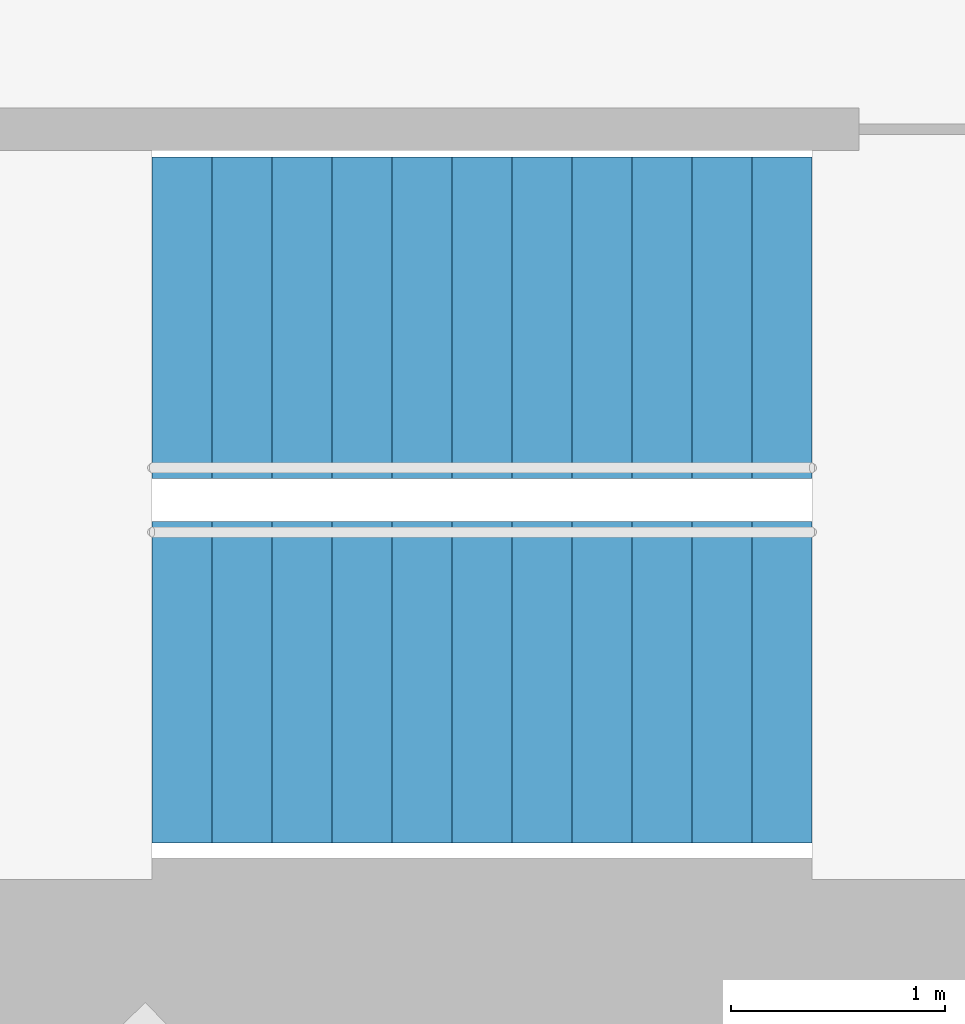
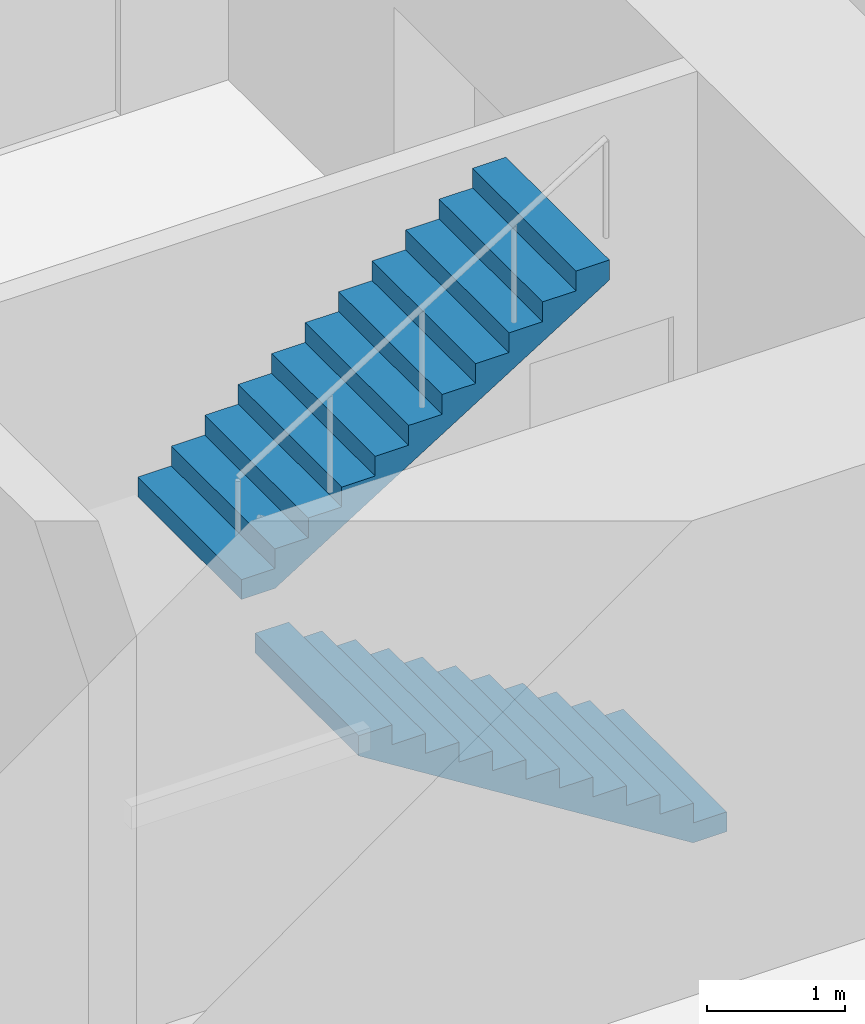
# One storey, part 16 of 17: 2 stair flights, 1 element without a shape of its own.
"""IFC4 building model written with IfcOpenShell, lengths in metres."""

from ifc_helpers import new_model, si_unit, direction, frame, origin, place, context, subcontext, project, spatial, triangles, material, type_object, element, aggregate, save


model = new_model("IFC4")

# Units and contexts
model_context = context("Model", 3, precision=1e-05, world=origin(), true_north=direction((0.0, 1.0)))
body_context = subcontext(model_context, "Body", "Model", "MODEL_VIEW")
ifc_project = project(units=[si_unit("LENGTHUNIT", "METRE"), si_unit("AREAUNIT", "SQUARE_METRE"), si_unit("VOLUMEUNIT", "CUBIC_METRE"), si_unit("PLANEANGLEUNIT", "RADIAN"), si_unit("MASSUNIT", "GRAM", prefix="KILO")], contexts=[model_context])

# Site, building, storey
site_placement = place(None, origin())
site = spatial("IfcSite", under=ifc_project, at=site_placement, CompositionType="ELEMENT")
building_placement = place(site_placement, origin())
building = spatial("IfcBuilding", under=site, at=building_placement, Name="Lantaw Convention Tower", CompositionType="ELEMENT")
storey_placement = place(building_placement, frame((0.0, 0.0, 117.39990234375)))
storey = spatial("IfcBuildingStorey", under=building, at=storey_placement, Name="L27", CompositionType="ELEMENT", Elevation=117.39990234375)

# Stair, stair flights
ifc_material = material(Name="Concrete C35/45", Category="concrete")
stair_type = type_object("IfcStairType", Name="Exit stair 1500 riser 175 in 2 flights", PredefinedType="HALF_TURN_STAIR", material=ifc_material)
stair_placement = place(storey_placement, origin())
stair = element("IfcStair", 1, at=stair_placement, inside=storey, type_object=stair_type, Name="Exit stair S2 L27", PredefinedType="HALF_TURN_STAIR")
stair_flight_type = type_object("IfcStairFlightType", Name="Stair flight 1500 riser 175", PredefinedType="STRAIGHT", material=ifc_material)
stair_flight_1_placement = place(storey_placement, frame((10.580078125, -5.97998046875, 0.0), z_axis=(0.0, 0.0, 1.0), x_axis=(-1.0, 0.0, 0.0)))
stair_flight_1 = element("IfcStairFlight", 2, at=stair_flight_1_placement, type_object=stair_flight_type, Name="S2 flight 1", NumberOfRisers=12, NumberOfTreads=11, PredefinedType="STRAIGHT", RiserHeight=0.175, TreadLength=0.28, context=body_context, shape_type="Tessellation", body=[
    triangles([(0.0, 0.75, 0.0), (0.0, 0.75, 0.175), (0.28, 0.75, 0.0), (0.28, 0.75, 0.175), (0.28, 0.75, 0.35), (0.28283517651771284, 0.75, 0.0), (0.28283517651771284, 0.75, 0.35), (0.56, 0.75, 0.17322801467642948), (0.56, 0.75, 0.35), (0.56, 0.75, 0.5249999999999999), (0.8400000000000001, 0.75, 0.34822801467642944), (0.8400000000000001, 0.75, 0.5249999999999999), (0.8400000000000001, 0.75, 0.7), (1.12, 0.75, 0.5232280146764294), (1.12, 0.75, 0.7), (1.12, 0.75, 0.875), (1.4000000000000001, 0.75, 0.6982280146764295), (1.4000000000000001, 0.75, 0.875), (1.4000000000000001, 0.75, 1.0499999999999998), (1.6800000000000002, 0.75, 0.8732280146764294), (1.6800000000000002, 0.75, 1.0499999999999998), (1.6800000000000002, 0.75, 1.2249999999999999), (1.9600000000000002, 0.75, 1.0482280146764293), (1.9600000000000002, 0.75, 1.2249999999999999), (1.9600000000000002, 0.75, 1.4), (2.24, 0.75, 1.2232280146764294), (2.24, 0.75, 1.4), (2.24, 0.75, 1.575), (2.5200000000000005, 0.75, 1.3982280146764294), (2.5200000000000005, 0.75, 1.575), (2.5200000000000005, 0.75, 1.75), (2.8000000000000003, 0.75, 1.5732280146764293), (2.8000000000000003, 0.75, 1.75), (2.8000000000000003, 0.75, 1.9249999999999998), (3.08, 0.75, 1.7482280146764293), (3.08, 0.75, 1.9249999999999998), (0.0, -0.75, 0.0), (0.0, -0.75, 0.175), (0.28, -0.75, 0.0), (0.28, -0.75, 0.175), (0.28, -0.75, 0.35), (0.28283517651771284, -0.75, 0.0), (0.28283517651771284, -0.75, 0.35), (0.56, -0.75, 0.17322801467642948), (0.56, -0.75, 0.35), (0.56, -0.75, 0.5249999999999999), (0.8400000000000001, -0.75, 0.34822801467642944), (0.8400000000000001, -0.75, 0.5249999999999999), (0.8400000000000001, -0.75, 0.7), (1.12, -0.75, 0.5232280146764294), (1.12, -0.75, 0.7), (1.12, -0.75, 0.875), (1.4000000000000001, -0.75, 0.6982280146764295), (1.4000000000000001, -0.75, 0.875), (1.4000000000000001, -0.75, 1.0499999999999998), (1.6800000000000002, -0.75, 0.8732280146764294), (1.6800000000000002, -0.75, 1.0499999999999998), (1.6800000000000002, -0.75, 1.2249999999999999), (1.9600000000000002, -0.75, 1.0482280146764293), (1.9600000000000002, -0.75, 1.2249999999999999), (1.9600000000000002, -0.75, 1.4), (2.24, -0.75, 1.2232280146764294), (2.24, -0.75, 1.4), (2.24, -0.75, 1.575), (2.5200000000000005, -0.75, 1.3982280146764294), (2.5200000000000005, -0.75, 1.575), (2.5200000000000005, -0.75, 1.75), (2.8000000000000003, -0.75, 1.5732280146764293), (2.8000000000000003, -0.75, 1.75), (2.8000000000000003, -0.75, 1.9249999999999998), (3.08, -0.75, 1.7482280146764293), (3.08, -0.75, 1.9249999999999998), (0.0, 0.15000000000000002, 0.175), (0.0, 0.15000000000000002, 0.0), (0.0, 0.0, 0.175), (0.0, 0.0, 0.0), (0.0, -0.15000000000000002, 0.175), (0.0, -0.15000000000000002, 0.0), (0.28, 0.15000000000000002, 0.35), (0.28, 0.15000000000000002, 0.175), (0.28, 0.0, 0.35), (0.28, 0.0, 0.175), (0.28, -0.15000000000000002, 0.35), (0.28, -0.15000000000000002, 0.175), (0.56, 0.15000000000000002, 0.5249999999999999), (0.56, 0.15000000000000002, 0.35), (0.56, 0.0, 0.5249999999999999), (0.56, 0.0, 0.35), (0.56, -0.15000000000000002, 0.5249999999999999), (0.56, -0.15000000000000002, 0.35), (0.8400000000000001, 0.15000000000000002, 0.7), (0.8400000000000001, 0.15000000000000002, 0.5249999999999999), (0.8400000000000001, 0.0, 0.7), (0.8400000000000001, 0.0, 0.5249999999999999), (0.8400000000000001, -0.15000000000000002, 0.7), (0.8400000000000001, -0.15000000000000002, 0.5249999999999999), (1.12, 0.15000000000000002, 0.875), (1.12, 0.15000000000000002, 0.7), (1.12, 0.0, 0.875), (1.12, 0.0, 0.7), (1.12, -0.15000000000000002, 0.875), (1.12, -0.15000000000000002, 0.7), (1.4000000000000001, 0.15000000000000002, 1.0499999999999998), (1.4000000000000001, 0.15000000000000002, 0.875), (1.4000000000000001, 0.0, 1.0499999999999998), (1.4000000000000001, 0.0, 0.875), (1.4000000000000001, -0.15000000000000002, 1.0499999999999998), (1.4000000000000001, -0.15000000000000002, 0.875), (1.6800000000000002, 0.15000000000000002, 1.2249999999999999), (1.6800000000000002, 0.15000000000000002, 1.0499999999999998), (1.6800000000000002, 0.0, 1.2249999999999999), (1.6800000000000002, 0.0, 1.0499999999999998), (1.6800000000000002, -0.15000000000000002, 1.2249999999999999), (1.6800000000000002, -0.15000000000000002, 1.0499999999999998), (1.9600000000000002, 0.15000000000000002, 1.4), (1.9600000000000002, 0.15000000000000002, 1.2249999999999999), (1.9600000000000002, 0.0, 1.4), (1.9600000000000002, 0.0, 1.2249999999999999), (1.9600000000000002, -0.15000000000000002, 1.4), (1.9600000000000002, -0.15000000000000002, 1.2249999999999999), (2.24, 0.15000000000000002, 1.575), (2.24, 0.15000000000000002, 1.4), (2.24, 0.0, 1.575), (2.24, 0.0, 1.4), (2.24, -0.15000000000000002, 1.575), (2.24, -0.15000000000000002, 1.4), (2.5200000000000005, 0.15000000000000002, 1.75), (2.5200000000000005, 0.15000000000000002, 1.575), (2.5200000000000005, 0.0, 1.75), (2.5200000000000005, 0.0, 1.575), (2.5200000000000005, -0.15000000000000002, 1.75), (2.5200000000000005, -0.15000000000000002, 1.575), (2.8000000000000003, 0.15000000000000002, 1.9249999999999998), (2.8000000000000003, 0.15000000000000002, 1.75), (2.8000000000000003, 0.0, 1.9249999999999998), (2.8000000000000003, 0.0, 1.75), (2.8000000000000003, -0.15000000000000002, 1.9249999999999998), (2.8000000000000003, -0.15000000000000002, 1.75), (0.28283517651771284, 0.15000000000000002, 0.35), (0.28283517651771284, 0.0, 0.35), (0.28283517651771284, -0.15000000000000002, 0.35), (3.08, 0.15000000000000002, 1.9249999999999998), (3.08, 0.0, 1.9249999999999998), (3.08, -0.15000000000000002, 1.9249999999999998), (3.08, 0.15000000000000002, 1.7482280146764293), (3.08, 0.0, 1.7482280146764293), (3.08, -0.15000000000000002, 1.7482280146764293), (2.8000000000000003, 0.15000000000000002, 1.5732280146764293), (2.8000000000000003, 0.0, 1.5732280146764293), (2.8000000000000003, -0.15000000000000002, 1.5732280146764293), (2.5200000000000005, 0.15000000000000002, 1.3982280146764294), (2.5200000000000005, 0.0, 1.3982280146764294), (2.5200000000000005, -0.15000000000000002, 1.3982280146764294), (2.24, 0.15000000000000002, 1.2232280146764294), (2.24, 0.0, 1.2232280146764294), (2.24, -0.15000000000000002, 1.2232280146764294), (1.9600000000000002, 0.15000000000000002, 1.0482280146764293), (1.9600000000000002, 0.0, 1.0482280146764293), (1.9600000000000002, -0.15000000000000002, 1.0482280146764293), (1.6800000000000002, 0.15000000000000002, 0.8732280146764294), (1.6800000000000002, 0.0, 0.8732280146764294), (1.6800000000000002, -0.15000000000000002, 0.8732280146764294), (1.4000000000000001, 0.15000000000000002, 0.6982280146764295), (1.4000000000000001, 0.0, 0.6982280146764295), (1.4000000000000001, -0.15000000000000002, 0.6982280146764295), (1.12, 0.15000000000000002, 0.5232280146764294), (1.12, 0.0, 0.5232280146764294), (1.12, -0.15000000000000002, 0.5232280146764294), (0.8400000000000001, 0.15000000000000002, 0.34822801467642944), (0.8400000000000001, 0.0, 0.34822801467642944), (0.8400000000000001, -0.15000000000000002, 0.34822801467642944), (0.56, 0.15000000000000002, 0.17322801467642948), (0.56, 0.0, 0.17322801467642948), (0.56, -0.15000000000000002, 0.17322801467642948), (0.28283517651771284, 0.15000000000000002, 0.0), (0.28283517651771284, 0.0, 0.0), (0.28283517651771284, -0.15000000000000002, 0.0), (0.28, 0.15000000000000002, 0.0), (0.28, 0.0, 0.0), (0.28, -0.15000000000000002, 0.0)], [[1, 4, 3], [1, 2, 4], [3, 4, 6], [4, 7, 6], [4, 5, 7], [6, 9, 8], [6, 7, 9], [8, 9, 11], [9, 12, 11], [9, 10, 12], [11, 12, 14], [12, 15, 14], [12, 13, 15], [14, 15, 17], [15, 18, 17], [15, 16, 18], [17, 18, 20], [18, 21, 20], [18, 19, 21], [20, 21, 23], [21, 24, 23], [21, 22, 24], [23, 24, 26], [24, 27, 26], [24, 25, 27], [26, 27, 29], [27, 30, 29], [27, 28, 30], [29, 30, 32], [30, 33, 32], [30, 31, 33], [32, 33, 35], [33, 36, 35], [33, 34, 36], [37, 39, 40], [37, 40, 38], [39, 42, 40], [40, 42, 43], [40, 43, 41], [42, 44, 45], [42, 45, 43], [44, 47, 45], [45, 47, 48], [45, 48, 46], [47, 50, 48], [48, 50, 51], [48, 51, 49], [50, 53, 51], [51, 53, 54], [51, 54, 52], [53, 56, 54], [54, 56, 57], [54, 57, 55], [56, 59, 57], [57, 59, 60], [57, 60, 58], [59, 62, 60], [60, 62, 63], [60, 63, 61], [62, 65, 63], [63, 65, 66], [63, 66, 64], [65, 68, 66], [66, 68, 69], [66, 69, 67], [68, 71, 69], [69, 71, 72], [69, 72, 70], [1, 73, 2], [1, 74, 73], [74, 75, 73], [74, 76, 75], [76, 77, 75], [76, 78, 77], [78, 38, 77], [78, 37, 38], [4, 79, 5], [4, 80, 79], [80, 81, 79], [80, 82, 81], [82, 83, 81], [82, 84, 83], [84, 41, 83], [84, 40, 41], [9, 85, 10], [9, 86, 85], [86, 87, 85], [86, 88, 87], [88, 89, 87], [88, 90, 89], [90, 46, 89], [90, 45, 46], [12, 91, 13], [12, 92, 91], [92, 93, 91], [92, 94, 93], [94, 95, 93], [94, 96, 95], [96, 49, 95], [96, 48, 49], [15, 97, 16], [15, 98, 97], [98, 99, 97], [98, 100, 99], [100, 101, 99], [100, 102, 101], [102, 52, 101], [102, 51, 52], [18, 103, 19], [18, 104, 103], [104, 105, 103], [104, 106, 105], [106, 107, 105], [106, 108, 107], [108, 55, 107], [108, 54, 55], [21, 109, 22], [21, 110, 109], [110, 111, 109], [110, 112, 111], [112, 113, 111], [112, 114, 113], [114, 58, 113], [114, 57, 58], [24, 115, 25], [24, 116, 115], [116, 117, 115], [116, 118, 117], [118, 119, 117], [118, 120, 119], [120, 61, 119], [120, 60, 61], [27, 121, 28], [27, 122, 121], [122, 123, 121], [122, 124, 123], [124, 125, 123], [124, 126, 125], [126, 64, 125], [126, 63, 64], [30, 127, 31], [30, 128, 127], [128, 129, 127], [128, 130, 129], [130, 131, 129], [130, 132, 131], [132, 67, 131], [132, 66, 67], [33, 133, 34], [33, 134, 133], [134, 135, 133], [134, 136, 135], [136, 137, 135], [136, 138, 137], [138, 70, 137], [138, 69, 70], [2, 80, 4], [2, 73, 80], [73, 82, 80], [73, 75, 82], [75, 84, 82], [75, 77, 84], [77, 40, 84], [77, 38, 40], [5, 139, 7], [5, 79, 139], [79, 140, 139], [79, 81, 140], [81, 141, 140], [81, 83, 141], [83, 43, 141], [83, 41, 43], [7, 86, 9], [7, 139, 86], [139, 88, 86], [139, 140, 88], [140, 90, 88], [140, 141, 90], [141, 45, 90], [141, 43, 45], [10, 92, 12], [10, 85, 92], [85, 94, 92], [85, 87, 94], [87, 96, 94], [87, 89, 96], [89, 48, 96], [89, 46, 48], [13, 98, 15], [13, 91, 98], [91, 100, 98], [91, 93, 100], [93, 102, 100], [93, 95, 102], [95, 51, 102], [95, 49, 51], [16, 104, 18], [16, 97, 104], [97, 106, 104], [97, 99, 106], [99, 108, 106], [99, 101, 108], [101, 54, 108], [101, 52, 54], [19, 110, 21], [19, 103, 110], [103, 112, 110], [103, 105, 112], [105, 114, 112], [105, 107, 114], [107, 57, 114], [107, 55, 57], [22, 116, 24], [22, 109, 116], [109, 118, 116], [109, 111, 118], [111, 120, 118], [111, 113, 120], [113, 60, 120], [113, 58, 60], [25, 122, 27], [25, 115, 122], [115, 124, 122], [115, 117, 124], [117, 126, 124], [117, 119, 126], [119, 63, 126], [119, 61, 63], [28, 128, 30], [28, 121, 128], [121, 130, 128], [121, 123, 130], [123, 132, 130], [123, 125, 132], [125, 66, 132], [125, 64, 66], [31, 134, 33], [31, 127, 134], [127, 136, 134], [127, 129, 136], [129, 138, 136], [129, 131, 138], [131, 69, 138], [131, 67, 69], [34, 142, 36], [34, 133, 142], [133, 143, 142], [133, 135, 143], [135, 144, 143], [135, 137, 144], [137, 72, 144], [137, 70, 72], [36, 145, 35], [36, 142, 145], [142, 146, 145], [142, 143, 146], [143, 147, 146], [143, 144, 147], [144, 71, 147], [144, 72, 71], [35, 148, 32], [35, 145, 148], [145, 149, 148], [145, 146, 149], [146, 150, 149], [146, 147, 150], [147, 68, 150], [147, 71, 68], [32, 151, 29], [32, 148, 151], [148, 152, 151], [148, 149, 152], [149, 153, 152], [149, 150, 153], [150, 65, 153], [150, 68, 65], [29, 154, 26], [29, 151, 154], [151, 155, 154], [151, 152, 155], [152, 156, 155], [152, 153, 156], [153, 62, 156], [153, 65, 62], [26, 157, 23], [26, 154, 157], [154, 158, 157], [154, 155, 158], [155, 159, 158], [155, 156, 159], [156, 59, 159], [156, 62, 59], [23, 160, 20], [23, 157, 160], [157, 161, 160], [157, 158, 161], [158, 162, 161], [158, 159, 162], [159, 56, 162], [159, 59, 56], [20, 163, 17], [20, 160, 163], [160, 164, 163], [160, 161, 164], [161, 165, 164], [161, 162, 165], [162, 53, 165], [162, 56, 53], [17, 166, 14], [17, 163, 166], [163, 167, 166], [163, 164, 167], [164, 168, 167], [164, 165, 168], [165, 50, 168], [165, 53, 50], [14, 169, 11], [14, 166, 169], [166, 170, 169], [166, 167, 170], [167, 171, 170], [167, 168, 171], [168, 47, 171], [168, 50, 47], [11, 172, 8], [11, 169, 172], [169, 173, 172], [169, 170, 173], [170, 174, 173], [170, 171, 174], [171, 44, 174], [171, 47, 44], [8, 175, 6], [8, 172, 175], [172, 176, 175], [172, 173, 176], [173, 177, 176], [173, 174, 177], [174, 42, 177], [174, 44, 42], [6, 178, 3], [6, 175, 178], [175, 179, 178], [175, 176, 179], [176, 180, 179], [176, 177, 180], [177, 39, 180], [177, 42, 39], [3, 74, 1], [3, 178, 74], [178, 76, 74], [178, 179, 76], [179, 78, 76], [179, 180, 78], [180, 37, 78], [180, 39, 37]], closed=True),
])
stair_flight_2_placement = place(storey_placement, frame((7.5, -4.280029296875, 2.10009765625), z_axis=(0.0, 0.0, 1.0), x_axis=(1.0, 0.0, 0.0)))
stair_flight_2 = element("IfcStairFlight", 3, at=stair_flight_2_placement, type_object=stair_flight_type, Name="S2 flight 2", NumberOfRisers=12, NumberOfTreads=11, PredefinedType="STRAIGHT", RiserHeight=0.175, TreadLength=0.28, context=body_context, shape_type="Tessellation", body=[
    triangles([(0.0, 0.75, 0.0), (0.0, 0.75, 0.175), (0.28, 0.75, 0.0), (0.28, 0.75, 0.175), (0.28, 0.75, 0.35), (0.28283517651771284, 0.75, 0.0), (0.28283517651771284, 0.75, 0.35), (0.56, 0.75, 0.17322801467642948), (0.56, 0.75, 0.35), (0.56, 0.75, 0.5249999999999999), (0.8400000000000001, 0.75, 0.34822801467642944), (0.8400000000000001, 0.75, 0.5249999999999999), (0.8400000000000001, 0.75, 0.7), (1.12, 0.75, 0.5232280146764294), (1.12, 0.75, 0.7), (1.12, 0.75, 0.875), (1.4000000000000001, 0.75, 0.6982280146764295), (1.4000000000000001, 0.75, 0.875), (1.4000000000000001, 0.75, 1.0499999999999998), (1.6800000000000002, 0.75, 0.8732280146764294), (1.6800000000000002, 0.75, 1.0499999999999998), (1.6800000000000002, 0.75, 1.2249999999999999), (1.9600000000000002, 0.75, 1.0482280146764293), (1.9600000000000002, 0.75, 1.2249999999999999), (1.9600000000000002, 0.75, 1.4), (2.24, 0.75, 1.2232280146764294), (2.24, 0.75, 1.4), (2.24, 0.75, 1.575), (2.5200000000000005, 0.75, 1.3982280146764294), (2.5200000000000005, 0.75, 1.575), (2.5200000000000005, 0.75, 1.75), (2.8000000000000003, 0.75, 1.5732280146764293), (2.8000000000000003, 0.75, 1.75), (2.8000000000000003, 0.75, 1.9249999999999998), (3.08, 0.75, 1.7482280146764293), (3.08, 0.75, 1.9249999999999998), (0.0, -0.75, 0.0), (0.0, -0.75, 0.175), (0.28, -0.75, 0.0), (0.28, -0.75, 0.175), (0.28, -0.75, 0.35), (0.28283517651771284, -0.75, 0.0), (0.28283517651771284, -0.75, 0.35), (0.56, -0.75, 0.17322801467642948), (0.56, -0.75, 0.35), (0.56, -0.75, 0.5249999999999999), (0.8400000000000001, -0.75, 0.34822801467642944), (0.8400000000000001, -0.75, 0.5249999999999999), (0.8400000000000001, -0.75, 0.7), (1.12, -0.75, 0.5232280146764294), (1.12, -0.75, 0.7), (1.12, -0.75, 0.875), (1.4000000000000001, -0.75, 0.6982280146764295), (1.4000000000000001, -0.75, 0.875), (1.4000000000000001, -0.75, 1.0499999999999998), (1.6800000000000002, -0.75, 0.8732280146764294), (1.6800000000000002, -0.75, 1.0499999999999998), (1.6800000000000002, -0.75, 1.2249999999999999), (1.9600000000000002, -0.75, 1.0482280146764293), (1.9600000000000002, -0.75, 1.2249999999999999), (1.9600000000000002, -0.75, 1.4), (2.24, -0.75, 1.2232280146764294), (2.24, -0.75, 1.4), (2.24, -0.75, 1.575), (2.5200000000000005, -0.75, 1.3982280146764294), (2.5200000000000005, -0.75, 1.575), (2.5200000000000005, -0.75, 1.75), (2.8000000000000003, -0.75, 1.5732280146764293), (2.8000000000000003, -0.75, 1.75), (2.8000000000000003, -0.75, 1.9249999999999998), (3.08, -0.75, 1.7482280146764293), (3.08, -0.75, 1.9249999999999998), (0.0, 0.15000000000000002, 0.175), (0.0, 0.15000000000000002, 0.0), (0.0, 0.0, 0.175), (0.0, 0.0, 0.0), (0.0, -0.15000000000000002, 0.175), (0.0, -0.15000000000000002, 0.0), (0.28, 0.15000000000000002, 0.35), (0.28, 0.15000000000000002, 0.175), (0.28, 0.0, 0.35), (0.28, 0.0, 0.175), (0.28, -0.15000000000000002, 0.35), (0.28, -0.15000000000000002, 0.175), (0.56, 0.15000000000000002, 0.5249999999999999), (0.56, 0.15000000000000002, 0.35), (0.56, 0.0, 0.5249999999999999), (0.56, 0.0, 0.35), (0.56, -0.15000000000000002, 0.5249999999999999), (0.56, -0.15000000000000002, 0.35), (0.8400000000000001, 0.15000000000000002, 0.7), (0.8400000000000001, 0.15000000000000002, 0.5249999999999999), (0.8400000000000001, 0.0, 0.7), (0.8400000000000001, 0.0, 0.5249999999999999), (0.8400000000000001, -0.15000000000000002, 0.7), (0.8400000000000001, -0.15000000000000002, 0.5249999999999999), (1.12, 0.15000000000000002, 0.875), (1.12, 0.15000000000000002, 0.7), (1.12, 0.0, 0.875), (1.12, 0.0, 0.7), (1.12, -0.15000000000000002, 0.875), (1.12, -0.15000000000000002, 0.7), (1.4000000000000001, 0.15000000000000002, 1.0499999999999998), (1.4000000000000001, 0.15000000000000002, 0.875), (1.4000000000000001, 0.0, 1.0499999999999998), (1.4000000000000001, 0.0, 0.875), (1.4000000000000001, -0.15000000000000002, 1.0499999999999998), (1.4000000000000001, -0.15000000000000002, 0.875), (1.6800000000000002, 0.15000000000000002, 1.2249999999999999), (1.6800000000000002, 0.15000000000000002, 1.0499999999999998), (1.6800000000000002, 0.0, 1.2249999999999999), (1.6800000000000002, 0.0, 1.0499999999999998), (1.6800000000000002, -0.15000000000000002, 1.2249999999999999), (1.6800000000000002, -0.15000000000000002, 1.0499999999999998), (1.9600000000000002, 0.15000000000000002, 1.4), (1.9600000000000002, 0.15000000000000002, 1.2249999999999999), (1.9600000000000002, 0.0, 1.4), (1.9600000000000002, 0.0, 1.2249999999999999), (1.9600000000000002, -0.15000000000000002, 1.4), (1.9600000000000002, -0.15000000000000002, 1.2249999999999999), (2.24, 0.15000000000000002, 1.575), (2.24, 0.15000000000000002, 1.4), (2.24, 0.0, 1.575), (2.24, 0.0, 1.4), (2.24, -0.15000000000000002, 1.575), (2.24, -0.15000000000000002, 1.4), (2.5200000000000005, 0.15000000000000002, 1.75), (2.5200000000000005, 0.15000000000000002, 1.575), (2.5200000000000005, 0.0, 1.75), (2.5200000000000005, 0.0, 1.575), (2.5200000000000005, -0.15000000000000002, 1.75), (2.5200000000000005, -0.15000000000000002, 1.575), (2.8000000000000003, 0.15000000000000002, 1.9249999999999998), (2.8000000000000003, 0.15000000000000002, 1.75), (2.8000000000000003, 0.0, 1.9249999999999998), (2.8000000000000003, 0.0, 1.75), (2.8000000000000003, -0.15000000000000002, 1.9249999999999998), (2.8000000000000003, -0.15000000000000002, 1.75), (0.28283517651771284, 0.15000000000000002, 0.35), (0.28283517651771284, 0.0, 0.35), (0.28283517651771284, -0.15000000000000002, 0.35), (3.08, 0.15000000000000002, 1.9249999999999998), (3.08, 0.0, 1.9249999999999998), (3.08, -0.15000000000000002, 1.9249999999999998), (3.08, 0.15000000000000002, 1.7482280146764293), (3.08, 0.0, 1.7482280146764293), (3.08, -0.15000000000000002, 1.7482280146764293), (2.8000000000000003, 0.15000000000000002, 1.5732280146764293), (2.8000000000000003, 0.0, 1.5732280146764293), (2.8000000000000003, -0.15000000000000002, 1.5732280146764293), (2.5200000000000005, 0.15000000000000002, 1.3982280146764294), (2.5200000000000005, 0.0, 1.3982280146764294), (2.5200000000000005, -0.15000000000000002, 1.3982280146764294), (2.24, 0.15000000000000002, 1.2232280146764294), (2.24, 0.0, 1.2232280146764294), (2.24, -0.15000000000000002, 1.2232280146764294), (1.9600000000000002, 0.15000000000000002, 1.0482280146764293), (1.9600000000000002, 0.0, 1.0482280146764293), (1.9600000000000002, -0.15000000000000002, 1.0482280146764293), (1.6800000000000002, 0.15000000000000002, 0.8732280146764294), (1.6800000000000002, 0.0, 0.8732280146764294), (1.6800000000000002, -0.15000000000000002, 0.8732280146764294), (1.4000000000000001, 0.15000000000000002, 0.6982280146764295), (1.4000000000000001, 0.0, 0.6982280146764295), (1.4000000000000001, -0.15000000000000002, 0.6982280146764295), (1.12, 0.15000000000000002, 0.5232280146764294), (1.12, 0.0, 0.5232280146764294), (1.12, -0.15000000000000002, 0.5232280146764294), (0.8400000000000001, 0.15000000000000002, 0.34822801467642944), (0.8400000000000001, 0.0, 0.34822801467642944), (0.8400000000000001, -0.15000000000000002, 0.34822801467642944), (0.56, 0.15000000000000002, 0.17322801467642948), (0.56, 0.0, 0.17322801467642948), (0.56, -0.15000000000000002, 0.17322801467642948), (0.28283517651771284, 0.15000000000000002, 0.0), (0.28283517651771284, 0.0, 0.0), (0.28283517651771284, -0.15000000000000002, 0.0), (0.28, 0.15000000000000002, 0.0), (0.28, 0.0, 0.0), (0.28, -0.15000000000000002, 0.0)], [[1, 4, 3], [1, 2, 4], [3, 4, 6], [4, 7, 6], [4, 5, 7], [6, 9, 8], [6, 7, 9], [8, 9, 11], [9, 12, 11], [9, 10, 12], [11, 12, 14], [12, 15, 14], [12, 13, 15], [14, 15, 17], [15, 18, 17], [15, 16, 18], [17, 18, 20], [18, 21, 20], [18, 19, 21], [20, 21, 23], [21, 24, 23], [21, 22, 24], [23, 24, 26], [24, 27, 26], [24, 25, 27], [26, 27, 29], [27, 30, 29], [27, 28, 30], [29, 30, 32], [30, 33, 32], [30, 31, 33], [32, 33, 35], [33, 36, 35], [33, 34, 36], [37, 39, 40], [37, 40, 38], [39, 42, 40], [40, 42, 43], [40, 43, 41], [42, 44, 45], [42, 45, 43], [44, 47, 45], [45, 47, 48], [45, 48, 46], [47, 50, 48], [48, 50, 51], [48, 51, 49], [50, 53, 51], [51, 53, 54], [51, 54, 52], [53, 56, 54], [54, 56, 57], [54, 57, 55], [56, 59, 57], [57, 59, 60], [57, 60, 58], [59, 62, 60], [60, 62, 63], [60, 63, 61], [62, 65, 63], [63, 65, 66], [63, 66, 64], [65, 68, 66], [66, 68, 69], [66, 69, 67], [68, 71, 69], [69, 71, 72], [69, 72, 70], [1, 73, 2], [1, 74, 73], [74, 75, 73], [74, 76, 75], [76, 77, 75], [76, 78, 77], [78, 38, 77], [78, 37, 38], [4, 79, 5], [4, 80, 79], [80, 81, 79], [80, 82, 81], [82, 83, 81], [82, 84, 83], [84, 41, 83], [84, 40, 41], [9, 85, 10], [9, 86, 85], [86, 87, 85], [86, 88, 87], [88, 89, 87], [88, 90, 89], [90, 46, 89], [90, 45, 46], [12, 91, 13], [12, 92, 91], [92, 93, 91], [92, 94, 93], [94, 95, 93], [94, 96, 95], [96, 49, 95], [96, 48, 49], [15, 97, 16], [15, 98, 97], [98, 99, 97], [98, 100, 99], [100, 101, 99], [100, 102, 101], [102, 52, 101], [102, 51, 52], [18, 103, 19], [18, 104, 103], [104, 105, 103], [104, 106, 105], [106, 107, 105], [106, 108, 107], [108, 55, 107], [108, 54, 55], [21, 109, 22], [21, 110, 109], [110, 111, 109], [110, 112, 111], [112, 113, 111], [112, 114, 113], [114, 58, 113], [114, 57, 58], [24, 115, 25], [24, 116, 115], [116, 117, 115], [116, 118, 117], [118, 119, 117], [118, 120, 119], [120, 61, 119], [120, 60, 61], [27, 121, 28], [27, 122, 121], [122, 123, 121], [122, 124, 123], [124, 125, 123], [124, 126, 125], [126, 64, 125], [126, 63, 64], [30, 127, 31], [30, 128, 127], [128, 129, 127], [128, 130, 129], [130, 131, 129], [130, 132, 131], [132, 67, 131], [132, 66, 67], [33, 133, 34], [33, 134, 133], [134, 135, 133], [134, 136, 135], [136, 137, 135], [136, 138, 137], [138, 70, 137], [138, 69, 70], [2, 80, 4], [2, 73, 80], [73, 82, 80], [73, 75, 82], [75, 84, 82], [75, 77, 84], [77, 40, 84], [77, 38, 40], [5, 139, 7], [5, 79, 139], [79, 140, 139], [79, 81, 140], [81, 141, 140], [81, 83, 141], [83, 43, 141], [83, 41, 43], [7, 86, 9], [7, 139, 86], [139, 88, 86], [139, 140, 88], [140, 90, 88], [140, 141, 90], [141, 45, 90], [141, 43, 45], [10, 92, 12], [10, 85, 92], [85, 94, 92], [85, 87, 94], [87, 96, 94], [87, 89, 96], [89, 48, 96], [89, 46, 48], [13, 98, 15], [13, 91, 98], [91, 100, 98], [91, 93, 100], [93, 102, 100], [93, 95, 102], [95, 51, 102], [95, 49, 51], [16, 104, 18], [16, 97, 104], [97, 106, 104], [97, 99, 106], [99, 108, 106], [99, 101, 108], [101, 54, 108], [101, 52, 54], [19, 110, 21], [19, 103, 110], [103, 112, 110], [103, 105, 112], [105, 114, 112], [105, 107, 114], [107, 57, 114], [107, 55, 57], [22, 116, 24], [22, 109, 116], [109, 118, 116], [109, 111, 118], [111, 120, 118], [111, 113, 120], [113, 60, 120], [113, 58, 60], [25, 122, 27], [25, 115, 122], [115, 124, 122], [115, 117, 124], [117, 126, 124], [117, 119, 126], [119, 63, 126], [119, 61, 63], [28, 128, 30], [28, 121, 128], [121, 130, 128], [121, 123, 130], [123, 132, 130], [123, 125, 132], [125, 66, 132], [125, 64, 66], [31, 134, 33], [31, 127, 134], [127, 136, 134], [127, 129, 136], [129, 138, 136], [129, 131, 138], [131, 69, 138], [131, 67, 69], [34, 142, 36], [34, 133, 142], [133, 143, 142], [133, 135, 143], [135, 144, 143], [135, 137, 144], [137, 72, 144], [137, 70, 72], [36, 145, 35], [36, 142, 145], [142, 146, 145], [142, 143, 146], [143, 147, 146], [143, 144, 147], [144, 71, 147], [144, 72, 71], [35, 148, 32], [35, 145, 148], [145, 149, 148], [145, 146, 149], [146, 150, 149], [146, 147, 150], [147, 68, 150], [147, 71, 68], [32, 151, 29], [32, 148, 151], [148, 152, 151], [148, 149, 152], [149, 153, 152], [149, 150, 153], [150, 65, 153], [150, 68, 65], [29, 154, 26], [29, 151, 154], [151, 155, 154], [151, 152, 155], [152, 156, 155], [152, 153, 156], [153, 62, 156], [153, 65, 62], [26, 157, 23], [26, 154, 157], [154, 158, 157], [154, 155, 158], [155, 159, 158], [155, 156, 159], [156, 59, 159], [156, 62, 59], [23, 160, 20], [23, 157, 160], [157, 161, 160], [157, 158, 161], [158, 162, 161], [158, 159, 162], [159, 56, 162], [159, 59, 56], [20, 163, 17], [20, 160, 163], [160, 164, 163], [160, 161, 164], [161, 165, 164], [161, 162, 165], [162, 53, 165], [162, 56, 53], [17, 166, 14], [17, 163, 166], [163, 167, 166], [163, 164, 167], [164, 168, 167], [164, 165, 168], [165, 50, 168], [165, 53, 50], [14, 169, 11], [14, 166, 169], [166, 170, 169], [166, 167, 170], [167, 171, 170], [167, 168, 171], [168, 47, 171], [168, 50, 47], [11, 172, 8], [11, 169, 172], [169, 173, 172], [169, 170, 173], [170, 174, 173], [170, 171, 174], [171, 44, 174], [171, 47, 44], [8, 175, 6], [8, 172, 175], [172, 176, 175], [172, 173, 176], [173, 177, 176], [173, 174, 177], [174, 42, 177], [174, 44, 42], [6, 178, 3], [6, 175, 178], [175, 179, 178], [175, 176, 179], [176, 180, 179], [176, 177, 180], [177, 39, 180], [177, 42, 39], [3, 74, 1], [3, 178, 74], [178, 76, 74], [178, 179, 76], [179, 78, 76], [179, 180, 78], [180, 37, 78], [180, 39, 37]], closed=True),
])
aggregate(stair, [stair_flight_1, stair_flight_2])

save(model, "model.ifc")
